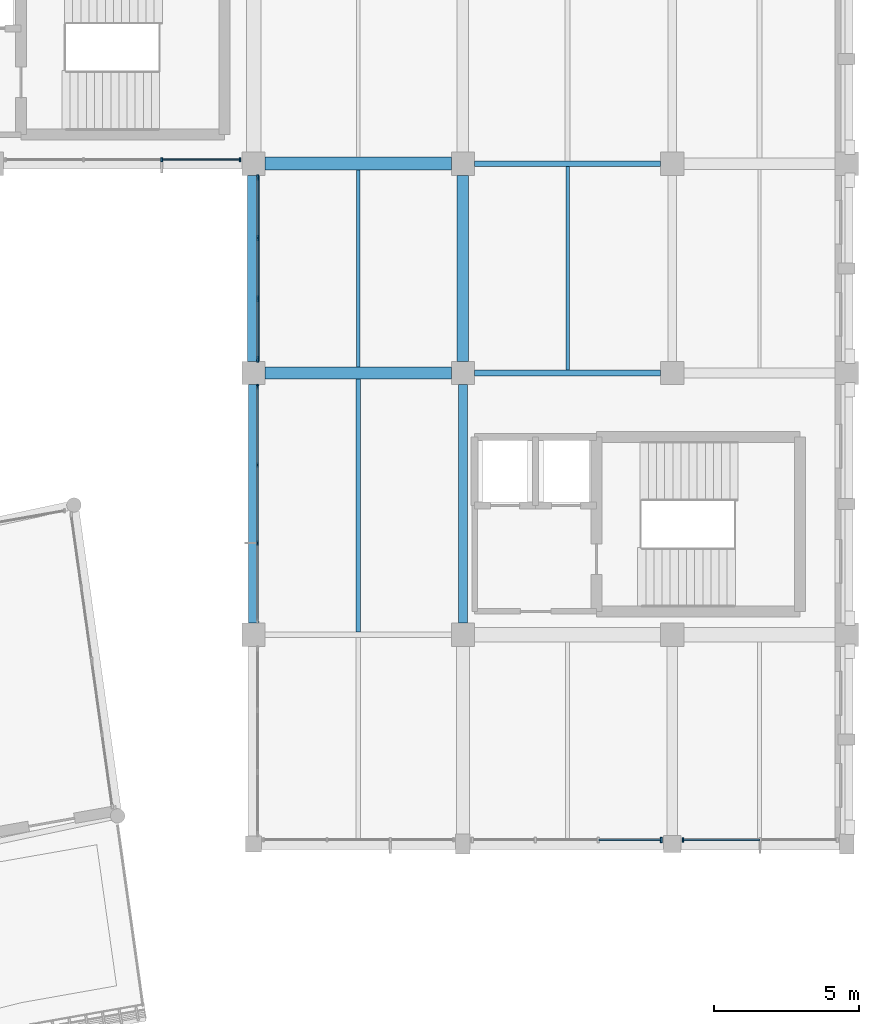
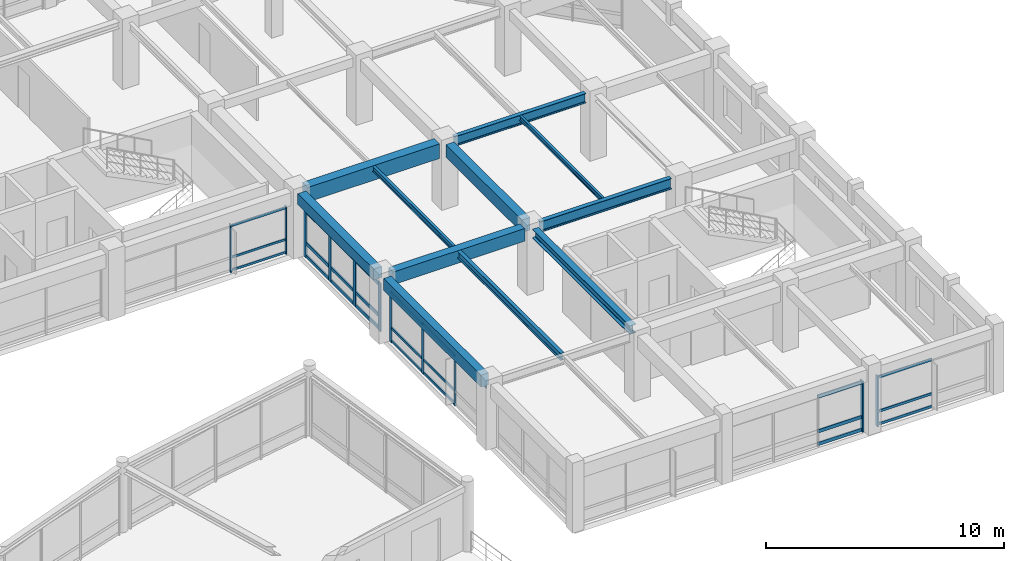
# One storey, part 37 of 74: 36 members, 11 beams, 5 elements without a shape of their own.
"""IFC4 building model written with IfcOpenShell, lengths in metres."""

from ifc_helpers import new_model, si_unit, direction, frame, origin, origin_2d, place, context, subcontext, project, spatial, rectangle, i_section, extrude, material, material_profile, profile_set, type_object, element, aggregate, save


model = new_model("IFC4")

# Units and contexts
model_context = context("Model", 3, precision=1e-05, world=origin(), true_north=direction((0.0, 1.0)))
body_context = subcontext(model_context, "Body", "Model", "MODEL_VIEW")
ifc_project = project(units=[si_unit("LENGTHUNIT", "METRE"), si_unit("AREAUNIT", "SQUARE_METRE"), si_unit("VOLUMEUNIT", "CUBIC_METRE"), si_unit("PLANEANGLEUNIT", "RADIAN"), si_unit("MASSUNIT", "GRAM", prefix="KILO")], contexts=[model_context])

# Site, building, storey
site_placement = place(None, origin())
site = spatial("IfcSite", under=ifc_project, at=site_placement, CompositionType="ELEMENT")
building_placement = place(site_placement, origin())
building = spatial("IfcBuilding", under=site, at=building_placement, Name="Clarverna Civic Hall", CompositionType="ELEMENT")
storey_placement = place(building_placement, frame((0.0, 0.0, 9.60009765625)))
storey = spatial("IfcBuildingStorey", under=building, at=storey_placement, Name="L02", CompositionType="ELEMENT", Elevation=9.60009765625)

# Beams
ifc_material_1 = material(Name="Concrete C35/45", Category="concrete")
ifc_material_profile_1 = material_profile(ifc_material_1, rectangle(XDim=0.449951171875, YDim=0.75, at=origin_2d()), Name="RC 450x750")
ifc_profile_set_1 = profile_set([ifc_material_profile_1], Name="Concrete C35/45")
beam_type_1 = type_object("IfcBeamType", Name="B-RC3", PredefinedType="BEAM", material=ifc_profile_set_1)
beam_1_placement = place(storey_placement, frame((148.0, 95.0, 2.94482421875), z_axis=(1.0, 0.0, 0.0), x_axis=(0.0, 1.0, 0.0)))
element("IfcBeam", 1, at=beam_1_placement, inside=storey, type_object=beam_type_1, Name="B-RC3-030", PredefinedType="BEAM", context=body_context, shape_type="SweptSolid", body=[
    extrude(rectangle(XDim=0.449951171875, YDim=0.75, at=origin_2d()), origin(), (0.0, 0.0, 1.0), 6.39990234375),
])
ifc_material_profile_2 = material_profile(ifc_material_1, rectangle(XDim=0.39990234375, YDim=0.64990234375, at=origin_2d()), Name="RC 400x650")
ifc_profile_set_2 = profile_set([ifc_material_profile_2], Name="Concrete C35/45")
beam_type_2 = type_object("IfcBeamType", Name="B-RC6", PredefinedType="BEAM", material=ifc_profile_set_2)
beam_2_placement = place(storey_placement, frame((148.0, 87.800048828125, 2.994873046875), z_axis=(1.0, 0.0, 0.0), x_axis=(0.0, 1.0, 0.0)))
element("IfcBeam", 2, at=beam_2_placement, inside=storey, type_object=beam_type_2, Name="B-RC6-036", PredefinedType="BEAM", context=body_context, shape_type="SweptSolid", body=[
    extrude(rectangle(XDim=0.39990234375, YDim=0.64990234375, at=origin_2d()), origin(), (0.0, 0.0, 1.0), 6.39990234375),
])
beam_3_placement = place(storey_placement, frame((154.800048828125, 88.199951171875, 2.994873046875), z_axis=(0.0, 1.0, 0.0), x_axis=(-1.0, 0.0, 0.0)))
element("IfcBeam", 3, at=beam_3_placement, inside=storey, type_object=beam_type_2, Name="B-RC6-043", PredefinedType="BEAM", context=body_context, shape_type="SweptSolid", body=[
    extrude(rectangle(XDim=0.39990234375, YDim=0.64990234375, at=origin_2d()), origin(), (0.0, 0.0, 1.0), 6.400146484375),
])
ifc_material_profile_3 = material_profile(ifc_material_1, rectangle(XDim=0.360107421875, YDim=0.6201171875, at=origin_2d()), Name="RC 360x620")
ifc_profile_set_3 = profile_set([ifc_material_profile_3], Name="Concrete C35/45")
beam_type_3 = type_object("IfcBeamType", Name="B-SP3", PredefinedType="SPANDREL", material=ifc_profile_set_3)
beam_4_placement = place(storey_placement, frame((147.60009765625, 79.199951171875, 3.010009765625), z_axis=(0.0, 1.0, 0.0), x_axis=(-1.0, 0.0, 0.0)))
element("IfcBeam", 4, at=beam_4_placement, inside=storey, type_object=beam_type_3, Name="B-SP3-105", PredefinedType="SPANDREL", context=body_context, shape_type="SweptSolid", body=[
    extrude(rectangle(XDim=0.360107421875, YDim=0.6201171875, at=origin_2d()), origin(), (0.0, 0.0, 1.0), 8.199951171875),
])
ifc_material_profile_4 = material_profile(ifc_material_1, rectangle(XDim=0.39990234375, YDim=0.56005859375, at=origin_2d()), Name="RC 400x560")
ifc_profile_set_4 = profile_set([ifc_material_profile_4], Name="Concrete C35/45")
beam_type_4 = type_object("IfcBeamType", Name="B-SP4", PredefinedType="SPANDREL", material=ifc_profile_set_4)
beam_5_placement = place(storey_placement, frame((147.60009765625, 88.199951171875, 3.039794921875), z_axis=(0.0, 1.0, 0.0), x_axis=(-1.0, 0.0, 0.0)))
element("IfcBeam", 5, at=beam_5_placement, inside=storey, type_object=beam_type_4, Name="B-SP4-106", PredefinedType="SPANDREL", context=body_context, shape_type="SweptSolid", body=[
    extrude(rectangle(XDim=0.39990234375, YDim=0.56005859375, at=origin_2d()), origin(), (0.0, 0.0, 1.0), 6.400146484375),
])
ifc_material_2 = material(Name="Steel S355", Category="steel")
ifc_material_profile_5 = material_profile(ifc_material_2, i_section(OverallWidth=0.2099609375, OverallDepth=0.550048828125, WebThickness=0.010986328125, FlangeThickness=0.01708984375, FilletRadius=0.02392578125, at=origin_2d()), Name="IPE 550")
ifc_profile_set_5 = profile_set([ifc_material_profile_5], Name="Steel S355")
beam_type_5 = type_object("IfcBeamType", Name="B-ST11", PredefinedType="BEAM", material=ifc_profile_set_5)
beam_6_placement = place(storey_placement, frame((155.199951171875, 87.800048828125, 3.044921875), z_axis=(1.0, 0.0, 0.0), x_axis=(0.0, 1.0, 0.0)))
element("IfcBeam", 6, at=beam_6_placement, inside=storey, type_object=beam_type_5, Name="B-ST11-010", PredefinedType="BEAM", context=body_context, shape_type="SweptSolid", body=[
    extrude(i_section(OverallWidth=0.2099609375, OverallDepth=0.550048828125, WebThickness=0.010986328125, FlangeThickness=0.01708984375, FilletRadius=0.02392578125, at=origin_2d()), origin(), (0.0, 0.0, 1.0), 6.400146484375),
])
ifc_material_profile_6 = material_profile(ifc_material_2, i_section(OverallWidth=0.199951171875, OverallDepth=0.5, WebThickness=0.01025390625, FlangeThickness=0.01611328125, FilletRadius=0.02099609375, at=origin_2d()), Name="IPE 500")
ifc_profile_set_6 = profile_set([ifc_material_profile_6], Name="Steel S355")
beam_type_6 = type_object("IfcBeamType", Name="B-ST12", PredefinedType="BEAM", material=ifc_profile_set_6)
beam_7_placement = place(storey_placement, frame((155.199951171875, 95.0, 3.06982421875), z_axis=(1.0, 0.0, 0.0), x_axis=(0.0, 1.0, 0.0)))
element("IfcBeam", 7, at=beam_7_placement, inside=storey, type_object=beam_type_6, Name="B-ST12-010", PredefinedType="BEAM", context=body_context, shape_type="SweptSolid", body=[
    extrude(i_section(OverallWidth=0.199951171875, OverallDepth=0.5, WebThickness=0.01025390625, FlangeThickness=0.01611328125, FilletRadius=0.02099609375, at=origin_2d()), origin(), (0.0, 0.0, 1.0), 6.400146484375),
])
ifc_material_profile_7 = material_profile(ifc_material_2, i_section(OverallWidth=0.300048828125, OverallDepth=0.449951171875, WebThickness=0.013916015625, FlangeThickness=0.02587890625, FilletRadius=0.027099609375, at=origin_2d()), Name="HEB 450")
ifc_profile_set_7 = profile_set([ifc_material_profile_7], Name="Steel S355")
beam_type_7 = type_object("IfcBeamType", Name="B-ST3", PredefinedType="BEAM", material=ifc_profile_set_7)
beam_8_placement = place(storey_placement, frame((154.800048828125, 79.199951171875, 3.094970703125), z_axis=(0.0, 1.0, 0.0), x_axis=(-1.0, 0.0, 0.0)))
element("IfcBeam", 8, at=beam_8_placement, inside=storey, type_object=beam_type_7, Name="B-ST3-009", PredefinedType="BEAM", context=body_context, shape_type="SweptSolid", body=[
    extrude(i_section(OverallWidth=0.300048828125, OverallDepth=0.449951171875, WebThickness=0.013916015625, FlangeThickness=0.02587890625, FilletRadius=0.027099609375, at=origin_2d()), origin(), (0.0, 0.0, 1.0), 8.199951171875),
])

# Curtain wall, member
ifc_material_3 = material(Name="Anodised Bronze Architectural Aluminium", Category="aluminium")
curtain_wall_type = type_object("IfcCurtainWallType", Name="CW-01", PredefinedType="USERDEFINED", material=ifc_material_3)
curtain_wall_1_placement = place(storey_placement, origin())
curtain_wall_1 = element("IfcCurtainWall", 9, at=curtain_wall_1_placement, inside=storey, type_object=curtain_wall_type, Name="CW-01-044", ObjectType="UNITISED CURTAIN WALL", PredefinedType="USERDEFINED")
ifc_material_profile_8 = material_profile(ifc_material_3, rectangle(XDim=0.06005859375, YDim=0.159912109375, at=origin_2d()), Name="BRONZE 60x160")
ifc_profile_set_8 = profile_set([ifc_material_profile_8], Name="Anodised Bronze Architectural Aluminium")
member_type_1 = type_object("IfcMemberType", Name="CWM-02", PredefinedType="MULLION", material=ifc_profile_set_8)
member_1_placement = place(storey_placement, frame((162.373046875, 71.739990234375, 0.0), z_axis=(0.0, 0.0, 1.0), x_axis=(1.0, 0.0, 0.0)))
member_1 = element("IfcMember", 10, at=member_1_placement, type_object=member_type_1, Name="CWM-02-112", PredefinedType="MULLION", context=body_context, shape_type="SweptSolid", body=[
    extrude(rectangle(XDim=0.06005859375, YDim=0.159912109375, at=origin_2d()), origin(), (0.0, 0.0, 1.0), 2.599853515625),
])

# Curtain wall, members
curtain_wall_2_placement = place(storey_placement, origin())
curtain_wall_2 = element("IfcCurtainWall", 11, at=curtain_wall_2_placement, inside=storey, type_object=curtain_wall_type, Name="CW-01-048", ObjectType="UNITISED CURTAIN WALL", PredefinedType="USERDEFINED")
member_2_placement = place(storey_placement, frame((147.739990234375, 81.957763671875, 0.0), z_axis=(0.0, 0.0, 1.0), x_axis=(1.0, 0.0, 0.0)))
member_2 = element("IfcMember", 12, at=member_2_placement, type_object=member_type_1, Name="CWM-02-114", PredefinedType="MULLION", context=body_context, shape_type="SweptSolid", body=[
    extrude(rectangle(XDim=0.06005859375, YDim=0.159912109375, at=origin_2d()), origin(), (0.0, 0.0, 1.0), 2.639892578125),
])
member_3_placement = place(storey_placement, frame((147.739990234375, 84.642333984375, 0.0), z_axis=(0.0, 0.0, 1.0), x_axis=(1.0, 0.0, 0.0)))
member_3 = element("IfcMember", 13, at=member_3_placement, type_object=member_type_1, Name="CWM-02-115", PredefinedType="MULLION", context=body_context, shape_type="SweptSolid", body=[
    extrude(rectangle(XDim=0.06005859375, YDim=0.159912109375, at=origin_2d()), origin(), (0.0, 0.0, 1.0), 2.639892578125),
])
member_4_placement = place(storey_placement, frame((147.739990234375, 87.326904296875, 0.0), z_axis=(0.0, 0.0, 1.0), x_axis=(1.0, 0.0, 0.0)))
member_4 = element("IfcMember", 14, at=member_4_placement, type_object=member_type_1, Name="CWM-02-116", PredefinedType="MULLION", context=body_context, shape_type="SweptSolid", body=[
    extrude(rectangle(XDim=0.06005859375, YDim=0.159912109375, at=origin_2d()), origin(), (0.0, 0.0, 1.0), 2.639892578125),
])

# Curtain wall, member
curtain_wall_3_placement = place(storey_placement, origin())
curtain_wall_3 = element("IfcCurtainWall", 15, at=curtain_wall_3_placement, inside=storey, type_object=curtain_wall_type, Name="CW-01-045", ObjectType="UNITISED CURTAIN WALL", PredefinedType="USERDEFINED")
ifc_material_profile_9 = material_profile(ifc_material_3, rectangle(XDim=0.06494140625, YDim=0.199951171875, at=origin_2d()), Name="BRONZE 65x200")
ifc_profile_set_9 = profile_set([ifc_material_profile_9], Name="Anodised Bronze Architectural Aluminium")
member_type_2 = type_object("IfcMemberType", Name="CWM-03", PredefinedType="MULLION", material=ifc_profile_set_9)
member_5_placement = place(storey_placement, frame((161.626953125, 71.739990234375, 0.0), z_axis=(0.0, 0.0, 1.0), x_axis=(1.0, 0.0, 0.0)))
member_5 = element("IfcMember", 16, at=member_5_placement, type_object=member_type_2, Name="CWM-03-085", PredefinedType="MULLION", context=body_context, shape_type="SweptSolid", body=[
    extrude(rectangle(XDim=0.06494140625, YDim=0.199951171875, at=origin_2d()), origin(), (0.0, 0.0, 1.0), 2.619873046875),
])

# Curtain wall, members
curtain_wall_4_placement = place(storey_placement, origin())
curtain_wall_4 = element("IfcCurtainWall", 17, at=curtain_wall_4_placement, inside=storey, type_object=curtain_wall_type, Name="CW-01-049", ObjectType="UNITISED CURTAIN WALL", PredefinedType="USERDEFINED")
member_6_placement = place(storey_placement, frame((147.739990234375, 88.27294921875, 0.0), z_axis=(0.0, 0.0, 1.0), x_axis=(1.0, 0.0, 0.0)))
member_6 = element("IfcMember", 18, at=member_6_placement, type_object=member_type_2, Name="CWM-03-089", PredefinedType="MULLION", context=body_context, shape_type="SweptSolid", body=[
    extrude(rectangle(XDim=0.06494140625, YDim=0.199951171875, at=origin_2d()), origin(), (0.0, 0.0, 1.0), 2.469970703125),
])
member_7_placement = place(storey_placement, frame((147.739990234375, 90.357666015625, 0.0), z_axis=(0.0, 0.0, 1.0), x_axis=(1.0, 0.0, 0.0)))
member_7 = element("IfcMember", 19, at=member_7_placement, type_object=member_type_2, Name="CWM-03-090", PredefinedType="MULLION", context=body_context, shape_type="SweptSolid", body=[
    extrude(rectangle(XDim=0.06494140625, YDim=0.199951171875, at=origin_2d()), origin(), (0.0, 0.0, 1.0), 2.469970703125),
])
member_8_placement = place(storey_placement, frame((147.739990234375, 92.4423828125, 0.0), z_axis=(0.0, 0.0, 1.0), x_axis=(1.0, 0.0, 0.0)))
member_8 = element("IfcMember", 20, at=member_8_placement, type_object=member_type_2, Name="CWM-03-091", PredefinedType="MULLION", context=body_context, shape_type="SweptSolid", body=[
    extrude(rectangle(XDim=0.06494140625, YDim=0.199951171875, at=origin_2d()), origin(), (0.0, 0.0, 1.0), 2.469970703125),
])
member_9_placement = place(storey_placement, frame((147.739990234375, 94.527099609375, 0.0), z_axis=(0.0, 0.0, 1.0), x_axis=(1.0, 0.0, 0.0)))
member_9 = element("IfcMember", 21, at=member_9_placement, type_object=member_type_2, Name="CWM-03-092", PredefinedType="MULLION", context=body_context, shape_type="SweptSolid", body=[
    extrude(rectangle(XDim=0.06494140625, YDim=0.199951171875, at=origin_2d()), origin(), (0.0, 0.0, 1.0), 2.469970703125),
])

curtain_wall_5_placement = place(storey_placement, origin())
curtain_wall_5 = element("IfcCurtainWall", 22, at=curtain_wall_5_placement, inside=storey, type_object=curtain_wall_type, Name="CW-01-050", ObjectType="UNITISED CURTAIN WALL", PredefinedType="USERDEFINED")
ifc_material_profile_10 = material_profile(ifc_material_3, rectangle(XDim=0.054931640625, YDim=0.139892578125, at=origin_2d()), Name="BRONZE 55x140")
ifc_profile_set_10 = profile_set([ifc_material_profile_10], Name="Anodised Bronze Architectural Aluminium")
member_type_3 = type_object("IfcMemberType", Name="CWM-04", PredefinedType="MULLION", material=ifc_profile_set_10)
member_10_placement = place(storey_placement, frame((147.126953125, 95.139892578125, 0.0), z_axis=(0.0, 0.0, 1.0), x_axis=(1.0, 0.0, 0.0)))
member_10 = element("IfcMember", 23, at=member_10_placement, type_object=member_type_3, Name="CWM-04-118", PredefinedType="MULLION", context=body_context, shape_type="SweptSolid", body=[
    extrude(rectangle(XDim=0.054931640625, YDim=0.139892578125, at=origin_2d()), origin(), (0.0, 0.0, 1.0), 2.469970703125),
])
member_11_placement = place(storey_placement, frame((144.4423828125, 95.139892578125, 0.0), z_axis=(0.0, 0.0, 1.0), x_axis=(1.0, 0.0, 0.0)))
member_11 = element("IfcMember", 24, at=member_11_placement, type_object=member_type_3, Name="CWM-04-119", PredefinedType="MULLION", context=body_context, shape_type="SweptSolid", body=[
    extrude(rectangle(XDim=0.054931640625, YDim=0.139892578125, at=origin_2d()), origin(), (0.0, 0.0, 1.0), 2.469970703125),
])

# Member
ifc_material_profile_11 = material_profile(ifc_material_3, rectangle(XDim=0.06005859375, YDim=0.1298828125, at=origin_2d()), Name="BRONZE 60x130")
ifc_profile_set_11 = profile_set([ifc_material_profile_11], Name="Anodised Bronze Architectural Aluminium")
member_type_4 = type_object("IfcMemberType", Name="CWT-02", PredefinedType="USERDEFINED", material=ifc_profile_set_11)
member_12_placement = place(storey_placement, frame((165.010009765625, 71.739990234375, 0.094970703125), z_axis=(-1.0, 0.0, 0.0), x_axis=(0.0, -1.0, 0.0)))
member_12 = element("IfcMember", 25, at=member_12_placement, type_object=member_type_4, Name="CWT-02-232", ObjectType="TRANSOM", PredefinedType="USERDEFINED", context=body_context, shape_type="SweptSolid", body=[
    extrude(rectangle(XDim=0.06005859375, YDim=0.1298828125, at=origin_2d()), origin(), (0.0, 0.0, 1.0), 2.6220703125),
])

member_13_placement = place(storey_placement, frame((165.010009765625, 71.739990234375, 0.75), z_axis=(-1.0, 0.0, 0.0), x_axis=(0.0, -1.0, 0.0)))
member_13 = element("IfcMember", 26, at=member_13_placement, type_object=member_type_4, Name="CWT-02-233", ObjectType="TRANSOM", PredefinedType="USERDEFINED", context=body_context, shape_type="SweptSolid", body=[
    extrude(rectangle(XDim=0.06005859375, YDim=0.1298828125, at=origin_2d()), origin(), (0.0, 0.0, 1.0), 2.6220703125),
])

member_14_placement = place(storey_placement, frame((165.010009765625, 71.739990234375, 2.5048828125), z_axis=(-1.0, 0.0, 0.0), x_axis=(0.0, -1.0, 0.0)))
member_14 = element("IfcMember", 27, at=member_14_placement, type_object=member_type_4, Name="CWT-02-234", ObjectType="TRANSOM", PredefinedType="USERDEFINED", context=body_context, shape_type="SweptSolid", body=[
    extrude(rectangle(XDim=0.06005859375, YDim=0.1298828125, at=origin_2d()), origin(), (0.0, 0.0, 1.0), 2.6220703125),
])

aggregate(curtain_wall_1, [member_1, member_12, member_13, member_14])

member_15_placement = place(storey_placement, frame((147.739990234375, 79.2880859375, 2.544921875), z_axis=(0.0, 1.0, 0.0), x_axis=(-1.0, 0.0, 0.0)))
member_15 = element("IfcMember", 28, at=member_15_placement, type_object=member_type_4, Name="CWT-02-237", ObjectType="TRANSOM", PredefinedType="USERDEFINED", context=body_context, shape_type="SweptSolid", body=[
    extrude(rectangle(XDim=0.06005859375, YDim=0.1298828125, at=origin_2d()), origin(), (0.0, 0.0, 1.0), 2.654541015625),
])

member_16_placement = place(storey_placement, frame((147.739990234375, 81.97265625, 0.094970703125), z_axis=(0.0, 1.0, 0.0), x_axis=(-1.0, 0.0, 0.0)))
member_16 = element("IfcMember", 29, at=member_16_placement, type_object=member_type_4, Name="CWT-02-238", ObjectType="TRANSOM", PredefinedType="USERDEFINED", context=body_context, shape_type="SweptSolid", body=[
    extrude(rectangle(XDim=0.06005859375, YDim=0.1298828125, at=origin_2d()), origin(), (0.0, 0.0, 1.0), 2.654541015625),
])

member_17_placement = place(storey_placement, frame((147.739990234375, 81.97265625, 0.75), z_axis=(0.0, 1.0, 0.0), x_axis=(-1.0, 0.0, 0.0)))
member_17 = element("IfcMember", 30, at=member_17_placement, type_object=member_type_4, Name="CWT-02-239", ObjectType="TRANSOM", PredefinedType="USERDEFINED", context=body_context, shape_type="SweptSolid", body=[
    extrude(rectangle(XDim=0.06005859375, YDim=0.1298828125, at=origin_2d()), origin(), (0.0, 0.0, 1.0), 2.654541015625),
])

member_18_placement = place(storey_placement, frame((147.739990234375, 81.97265625, 2.544921875), z_axis=(0.0, 1.0, 0.0), x_axis=(-1.0, 0.0, 0.0)))
member_18 = element("IfcMember", 31, at=member_18_placement, type_object=member_type_4, Name="CWT-02-240", ObjectType="TRANSOM", PredefinedType="USERDEFINED", context=body_context, shape_type="SweptSolid", body=[
    extrude(rectangle(XDim=0.06005859375, YDim=0.1298828125, at=origin_2d()), origin(), (0.0, 0.0, 1.0), 2.654541015625),
])

member_19_placement = place(storey_placement, frame((147.739990234375, 84.6572265625, 0.094970703125), z_axis=(0.0, 1.0, 0.0), x_axis=(-1.0, 0.0, 0.0)))
member_19 = element("IfcMember", 32, at=member_19_placement, type_object=member_type_4, Name="CWT-02-241", ObjectType="TRANSOM", PredefinedType="USERDEFINED", context=body_context, shape_type="SweptSolid", body=[
    extrude(rectangle(XDim=0.06005859375, YDim=0.1298828125, at=origin_2d()), origin(), (0.0, 0.0, 1.0), 2.65478515625),
])

member_20_placement = place(storey_placement, frame((147.739990234375, 84.6572265625, 0.75), z_axis=(0.0, 1.0, 0.0), x_axis=(-1.0, 0.0, 0.0)))
member_20 = element("IfcMember", 33, at=member_20_placement, type_object=member_type_4, Name="CWT-02-242", ObjectType="TRANSOM", PredefinedType="USERDEFINED", context=body_context, shape_type="SweptSolid", body=[
    extrude(rectangle(XDim=0.06005859375, YDim=0.1298828125, at=origin_2d()), origin(), (0.0, 0.0, 1.0), 2.65478515625),
])

member_21_placement = place(storey_placement, frame((147.739990234375, 84.6572265625, 2.544921875), z_axis=(0.0, 1.0, 0.0), x_axis=(-1.0, 0.0, 0.0)))
member_21 = element("IfcMember", 34, at=member_21_placement, type_object=member_type_4, Name="CWT-02-243", ObjectType="TRANSOM", PredefinedType="USERDEFINED", context=body_context, shape_type="SweptSolid", body=[
    extrude(rectangle(XDim=0.06005859375, YDim=0.1298828125, at=origin_2d()), origin(), (0.0, 0.0, 1.0), 2.65478515625),
])

aggregate(curtain_wall_2, [member_2, member_3, member_4, member_15, member_16, member_17, member_18, member_19, member_20, member_21])

ifc_material_profile_12 = material_profile(ifc_material_3, rectangle(XDim=0.06494140625, YDim=0.169921875, at=origin_2d()), Name="BRONZE 65x170")
ifc_profile_set_12 = profile_set([ifc_material_profile_12], Name="Anodised Bronze Architectural Aluminium")
member_type_5 = type_object("IfcMemberType", Name="CWT-03", PredefinedType="USERDEFINED", material=ifc_profile_set_12)
member_22_placement = place(storey_placement, frame((161.612060546875, 71.739990234375, 0.094970703125), z_axis=(-1.0, 0.0, 0.0), x_axis=(0.0, -1.0, 0.0)))
member_22 = element("IfcMember", 35, at=member_22_placement, type_object=member_type_5, Name="CWT-03-178", ObjectType="TRANSOM", PredefinedType="USERDEFINED", context=body_context, shape_type="SweptSolid", body=[
    extrude(rectangle(XDim=0.06494140625, YDim=0.169921875, at=origin_2d()), origin(), (0.0, 0.0, 1.0), 2.137939453125),
])

member_23_placement = place(storey_placement, frame((161.612060546875, 71.739990234375, 0.75), z_axis=(-1.0, 0.0, 0.0), x_axis=(0.0, -1.0, 0.0)))
member_23 = element("IfcMember", 36, at=member_23_placement, type_object=member_type_5, Name="CWT-03-179", ObjectType="TRANSOM", PredefinedType="USERDEFINED", context=body_context, shape_type="SweptSolid", body=[
    extrude(rectangle(XDim=0.06494140625, YDim=0.169921875, at=origin_2d()), origin(), (0.0, 0.0, 1.0), 2.137939453125),
])

member_24_placement = place(storey_placement, frame((161.612060546875, 71.739990234375, 2.52490234375), z_axis=(-1.0, 0.0, 0.0), x_axis=(0.0, -1.0, 0.0)))
member_24 = element("IfcMember", 37, at=member_24_placement, type_object=member_type_5, Name="CWT-03-180", ObjectType="TRANSOM", PredefinedType="USERDEFINED", context=body_context, shape_type="SweptSolid", body=[
    extrude(rectangle(XDim=0.06494140625, YDim=0.169921875, at=origin_2d()), origin(), (0.0, 0.0, 1.0), 2.137939453125),
])

aggregate(curtain_wall_3, [member_5, member_22, member_23, member_24])

member_25_placement = place(storey_placement, frame((147.739990234375, 88.2880859375, 0.094970703125), z_axis=(0.0, 1.0, 0.0), x_axis=(-1.0, 0.0, 0.0)))
member_25 = element("IfcMember", 38, at=member_25_placement, type_object=member_type_5, Name="CWT-03-187", ObjectType="TRANSOM", PredefinedType="USERDEFINED", context=body_context, shape_type="SweptSolid", body=[
    extrude(rectangle(XDim=0.06494140625, YDim=0.169921875, at=origin_2d()), origin(), (0.0, 0.0, 1.0), 2.0546875),
])

member_26_placement = place(storey_placement, frame((147.739990234375, 88.2880859375, 0.75), z_axis=(0.0, 1.0, 0.0), x_axis=(-1.0, 0.0, 0.0)))
member_26 = element("IfcMember", 39, at=member_26_placement, type_object=member_type_5, Name="CWT-03-188", ObjectType="TRANSOM", PredefinedType="USERDEFINED", context=body_context, shape_type="SweptSolid", body=[
    extrude(rectangle(XDim=0.06494140625, YDim=0.169921875, at=origin_2d()), origin(), (0.0, 0.0, 1.0), 2.0546875),
])

member_27_placement = place(storey_placement, frame((147.739990234375, 88.2880859375, 2.375), z_axis=(0.0, 1.0, 0.0), x_axis=(-1.0, 0.0, 0.0)))
member_27 = element("IfcMember", 40, at=member_27_placement, type_object=member_type_5, Name="CWT-03-189", ObjectType="TRANSOM", PredefinedType="USERDEFINED", context=body_context, shape_type="SweptSolid", body=[
    extrude(rectangle(XDim=0.06494140625, YDim=0.169921875, at=origin_2d()), origin(), (0.0, 0.0, 1.0), 2.0546875),
])

member_28_placement = place(storey_placement, frame((147.739990234375, 90.372802734375, 0.094970703125), z_axis=(0.0, 1.0, 0.0), x_axis=(-1.0, 0.0, 0.0)))
member_28 = element("IfcMember", 41, at=member_28_placement, type_object=member_type_5, Name="CWT-03-190", ObjectType="TRANSOM", PredefinedType="USERDEFINED", context=body_context, shape_type="SweptSolid", body=[
    extrude(rectangle(XDim=0.06494140625, YDim=0.169921875, at=origin_2d()), origin(), (0.0, 0.0, 1.0), 2.054443359375),
])

member_29_placement = place(storey_placement, frame((147.739990234375, 90.372802734375, 0.75), z_axis=(0.0, 1.0, 0.0), x_axis=(-1.0, 0.0, 0.0)))
member_29 = element("IfcMember", 42, at=member_29_placement, type_object=member_type_5, Name="CWT-03-191", ObjectType="TRANSOM", PredefinedType="USERDEFINED", context=body_context, shape_type="SweptSolid", body=[
    extrude(rectangle(XDim=0.06494140625, YDim=0.169921875, at=origin_2d()), origin(), (0.0, 0.0, 1.0), 2.054443359375),
])

member_30_placement = place(storey_placement, frame((147.739990234375, 90.372802734375, 2.375), z_axis=(0.0, 1.0, 0.0), x_axis=(-1.0, 0.0, 0.0)))
member_30 = element("IfcMember", 43, at=member_30_placement, type_object=member_type_5, Name="CWT-03-192", ObjectType="TRANSOM", PredefinedType="USERDEFINED", context=body_context, shape_type="SweptSolid", body=[
    extrude(rectangle(XDim=0.06494140625, YDim=0.169921875, at=origin_2d()), origin(), (0.0, 0.0, 1.0), 2.054443359375),
])

member_31_placement = place(storey_placement, frame((147.739990234375, 92.457275390625, 0.094970703125), z_axis=(0.0, 1.0, 0.0), x_axis=(-1.0, 0.0, 0.0)))
member_31 = element("IfcMember", 44, at=member_31_placement, type_object=member_type_5, Name="CWT-03-193", ObjectType="TRANSOM", PredefinedType="USERDEFINED", context=body_context, shape_type="SweptSolid", body=[
    extrude(rectangle(XDim=0.06494140625, YDim=0.169921875, at=origin_2d()), origin(), (0.0, 0.0, 1.0), 2.0546875),
])

member_32_placement = place(storey_placement, frame((147.739990234375, 92.457275390625, 0.75), z_axis=(0.0, 1.0, 0.0), x_axis=(-1.0, 0.0, 0.0)))
member_32 = element("IfcMember", 45, at=member_32_placement, type_object=member_type_5, Name="CWT-03-194", ObjectType="TRANSOM", PredefinedType="USERDEFINED", context=body_context, shape_type="SweptSolid", body=[
    extrude(rectangle(XDim=0.06494140625, YDim=0.169921875, at=origin_2d()), origin(), (0.0, 0.0, 1.0), 2.0546875),
])

member_33_placement = place(storey_placement, frame((147.739990234375, 92.457275390625, 2.375), z_axis=(0.0, 1.0, 0.0), x_axis=(-1.0, 0.0, 0.0)))
member_33 = element("IfcMember", 46, at=member_33_placement, type_object=member_type_5, Name="CWT-03-195", ObjectType="TRANSOM", PredefinedType="USERDEFINED", context=body_context, shape_type="SweptSolid", body=[
    extrude(rectangle(XDim=0.06494140625, YDim=0.169921875, at=origin_2d()), origin(), (0.0, 0.0, 1.0), 2.0546875),
])

aggregate(curtain_wall_4, [member_6, member_7, member_8, member_9, member_25, member_26, member_27, member_28, member_29, member_30, member_31, member_32, member_33])

ifc_material_profile_13 = material_profile(ifc_material_3, rectangle(XDim=0.054931640625, YDim=0.110107421875, at=origin_2d()), Name="BRONZE 55x110")
ifc_profile_set_13 = profile_set([ifc_material_profile_13], Name="Anodised Bronze Architectural Aluminium")
member_type_6 = type_object("IfcMemberType", Name="CWT-04", PredefinedType="USERDEFINED", material=ifc_profile_set_13)
member_34_placement = place(storey_placement, frame((147.112060546875, 95.139892578125, 0.094970703125), z_axis=(-1.0, 0.0, 0.0), x_axis=(0.0, -1.0, 0.0)))
member_34 = element("IfcMember", 47, at=member_34_placement, type_object=member_type_6, Name="CWT-04-247", ObjectType="TRANSOM", PredefinedType="USERDEFINED", context=body_context, shape_type="SweptSolid", body=[
    extrude(rectangle(XDim=0.054931640625, YDim=0.110107421875, at=origin_2d()), origin(), (0.0, 0.0, 1.0), 2.65478515625),
])

member_35_placement = place(storey_placement, frame((147.112060546875, 95.139892578125, 0.75), z_axis=(-1.0, 0.0, 0.0), x_axis=(0.0, -1.0, 0.0)))
member_35 = element("IfcMember", 48, at=member_35_placement, type_object=member_type_6, Name="CWT-04-248", ObjectType="TRANSOM", PredefinedType="USERDEFINED", context=body_context, shape_type="SweptSolid", body=[
    extrude(rectangle(XDim=0.054931640625, YDim=0.110107421875, at=origin_2d()), origin(), (0.0, 0.0, 1.0), 2.65478515625),
])

member_36_placement = place(storey_placement, frame((147.112060546875, 95.139892578125, 2.375), z_axis=(-1.0, 0.0, 0.0), x_axis=(0.0, -1.0, 0.0)))
member_36 = element("IfcMember", 49, at=member_36_placement, type_object=member_type_6, Name="CWT-04-249", ObjectType="TRANSOM", PredefinedType="USERDEFINED", context=body_context, shape_type="SweptSolid", body=[
    extrude(rectangle(XDim=0.054931640625, YDim=0.110107421875, at=origin_2d()), origin(), (0.0, 0.0, 1.0), 2.65478515625),
])

aggregate(curtain_wall_5, [member_10, member_11, member_34, member_35, member_36])

# Beams
ifc_material_profile_14 = material_profile(ifc_material_2, i_section(OverallWidth=0.169921875, OverallDepth=0.360107421875, WebThickness=0.008056640625, FlangeThickness=0.0126953125, FilletRadius=0.01806640625, at=origin_2d()), Name="IPE 360")
ifc_profile_set_14 = profile_set([ifc_material_profile_14], Name="Steel S355")
beam_type_8 = type_object("IfcBeamType", Name="J-ST1", PredefinedType="JOIST", material=ifc_profile_set_14)
beam_9_placement = place(storey_placement, frame((151.199951171875, 78.89501953125, 3.139892578125), z_axis=(0.0, 1.0, 0.0), x_axis=(-1.0, 0.0, 0.0)))
element("IfcBeam", 50, at=beam_9_placement, inside=storey, type_object=beam_type_8, Name="J-ST1-054", PredefinedType="JOIST", context=body_context, shape_type="SweptSolid", body=[
    extrude(i_section(OverallWidth=0.169921875, OverallDepth=0.360107421875, WebThickness=0.008056640625, FlangeThickness=0.0126953125, FilletRadius=0.01806640625, at=origin_2d()), origin(), (0.0, 0.0, 1.0), 8.705078125),
])
ifc_material_profile_15 = material_profile(ifc_material_2, i_section(OverallWidth=0.135009765625, OverallDepth=0.27001953125, WebThickness=0.006591796875, FlangeThickness=0.01025390625, FilletRadius=0.014892578125, at=origin_2d()), Name="IPE 270")
ifc_profile_set_15 = profile_set([ifc_material_profile_15], Name="Steel S355")
beam_type_9 = type_object("IfcBeamType", Name="J-ST4", PredefinedType="JOIST", material=ifc_profile_set_15)
beam_10_placement = place(storey_placement, frame((151.199951171875, 88.0, 3.184814453125), z_axis=(0.0, 1.0, 0.0), x_axis=(-1.0, 0.0, 0.0)))
element("IfcBeam", 51, at=beam_10_placement, inside=storey, type_object=beam_type_9, Name="J-ST4-057", PredefinedType="JOIST", context=body_context, shape_type="SweptSolid", body=[
    extrude(i_section(OverallWidth=0.135009765625, OverallDepth=0.27001953125, WebThickness=0.006591796875, FlangeThickness=0.01025390625, FilletRadius=0.014892578125, at=origin_2d()), origin(), (0.0, 0.0, 1.0), 6.77490234375),
])
ifc_material_profile_16 = material_profile(ifc_material_2, i_section(OverallWidth=0.1201171875, OverallDepth=0.239990234375, WebThickness=0.006103515625, FlangeThickness=0.009765625, FilletRadius=0.014892578125, at=origin_2d()), Name="IPE 240")
ifc_profile_set_16 = profile_set([ifc_material_profile_16], Name="Steel S355")
beam_type_10 = type_object("IfcBeamType", Name="J-ST5", PredefinedType="JOIST", material=ifc_profile_set_16)
beam_11_placement = place(storey_placement, frame((158.39990234375, 87.905029296875, 3.199951171875), z_axis=(0.0, 1.0, 0.0), x_axis=(-1.0, 0.0, 0.0)))
element("IfcBeam", 52, at=beam_11_placement, inside=storey, type_object=beam_type_10, Name="J-ST5-055", PredefinedType="JOIST", context=body_context, shape_type="SweptSolid", body=[
    extrude(i_section(OverallWidth=0.1201171875, OverallDepth=0.239990234375, WebThickness=0.006103515625, FlangeThickness=0.009765625, FilletRadius=0.014892578125, at=origin_2d()), origin(), (0.0, 0.0, 1.0), 6.994873046875),
])

save(model, "model.ifc")
